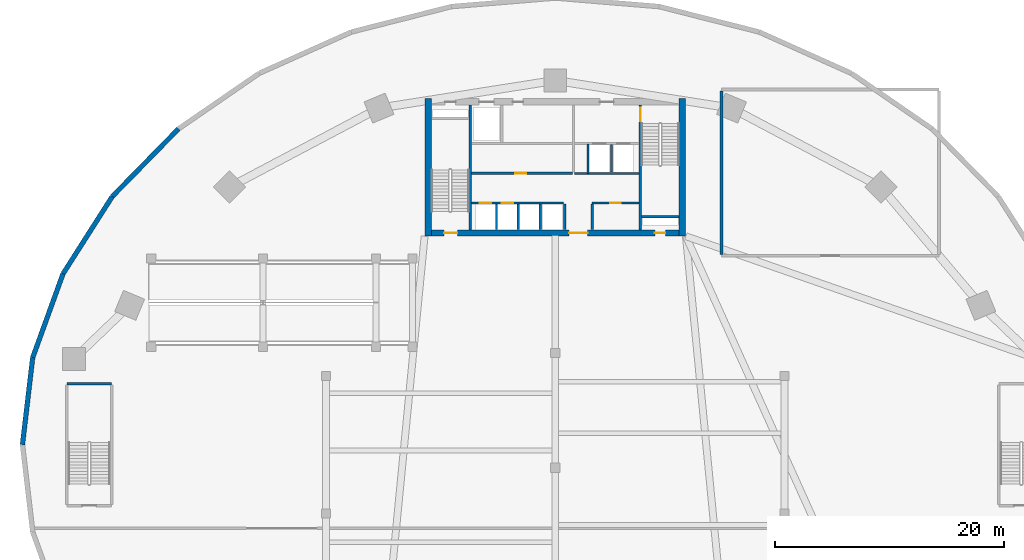
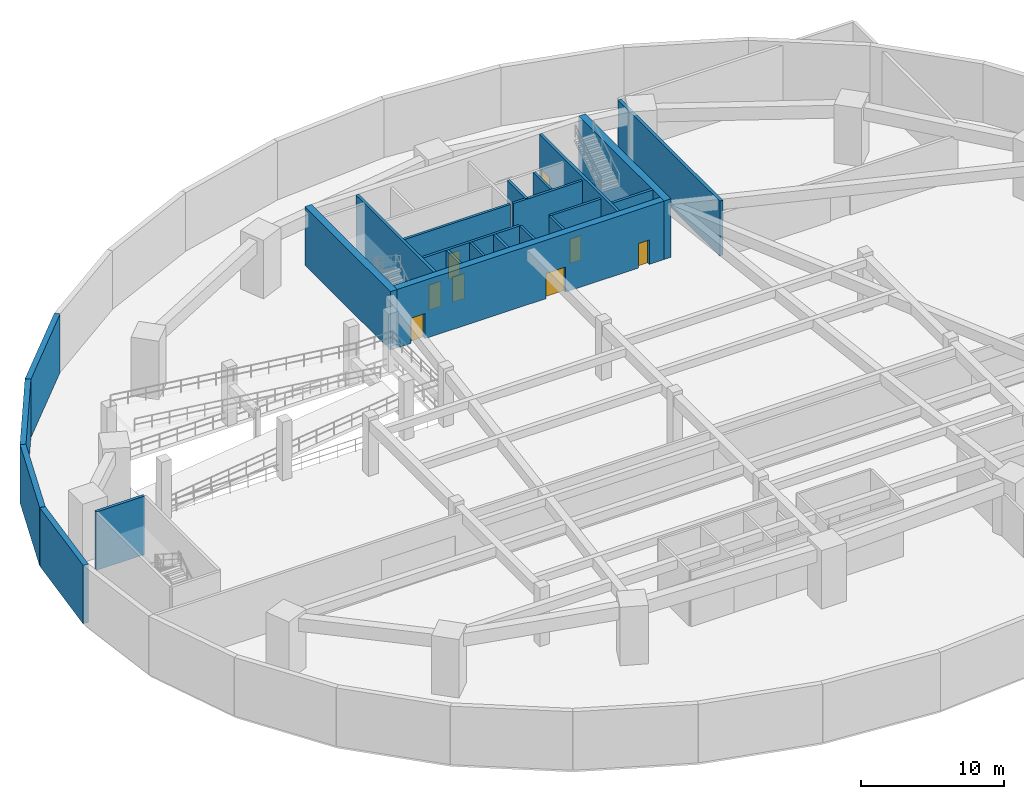
# One storey, part 5 of 10: 23 walls, 8 doors, 8 openings.
"""IFC4 building model written with IfcOpenShell, lengths in metres."""

from ifc_helpers import new_model, si_unit, direction, frame, frame_2d, origin, place, context, subcontext, project, spatial, rectangle, extrude, source, transform, mapped, material, layer, layer_set, type_object, type_shapes, element, fill, save


model = new_model("IFC4")

# Units and contexts
model_context = context("Model", 3, precision=1e-05, world=origin(), true_north=direction((0.0, 1.0)))
body_context = subcontext(model_context, "Body", "Model", "MODEL_VIEW")
ifc_project = project(units=[si_unit("LENGTHUNIT", "METRE"), si_unit("AREAUNIT", "SQUARE_METRE"), si_unit("VOLUMEUNIT", "CUBIC_METRE"), si_unit("PLANEANGLEUNIT", "RADIAN"), si_unit("MASSUNIT", "GRAM", prefix="KILO")], contexts=[model_context])

# Site, building, storey
site_placement = place(None, origin())
site = spatial("IfcSite", under=ifc_project, at=site_placement, CompositionType="ELEMENT")
building_placement = place(site_placement, origin())
building = spatial("IfcBuilding", under=site, at=building_placement, Name="Breltana Convention Tower", CompositionType="ELEMENT")
storey_placement = place(building_placement, frame((0.0, 0.0, -5.0)))
storey = spatial("IfcBuildingStorey", under=building, at=storey_placement, Name="B01", CompositionType="ELEMENT", Elevation=-5.0)

# Walls
ifc_material_1 = material(Name="Concrete C40/50", Category="concrete")
ifc_layer_1 = layer(ifc_material_1, 0.419921875, Name="Concrete C40/50")
ifc_layer_set_1 = layer_set([ifc_layer_1], Name="Concrete C40/50")
wall_type_1 = type_object("IfcWallType", Name="SW-BASE-420", PredefinedType="USERDEFINED", material=ifc_layer_set_1)
shared_shape_1 = source(origin(), body_context, "Body", "SweptSolid", [
    extrude(rectangle(XDim=7.66064453125, YDim=0.419921875, at=frame_2d((3.830322265625, 0.0))), origin(), (0.0, 0.0, 1.0), 5.0),
])
wall_1_placement = place(storey_placement, frame((2.3935546875, 49.6083984375, 0.0), z_axis=(0.0, 0.0, 1.0), x_axis=(-0.116641545586, -0.993174078318, 0.0)))
element("IfcWall", 1, at=wall_1_placement, inside=storey, type_object=wall_type_1, Name="B01 Perimeter Retaining Wall 16", ObjectType="RETAININGWALL", PredefinedType="USERDEFINED", context=body_context, shape_type="MappedRepresentation", body=[
    mapped(shared_shape_1, transform((0.0, 0.0, 0.0), scale=1.0)),
])
shared_shape_2 = source(origin(), body_context, "Body", "SweptSolid", [
    extrude(rectangle(XDim=7.7802734375, YDim=0.419921875, at=frame_2d((3.89013671875, 0.0))), origin(), (0.0, 0.0, 1.0), 5.0),
])
wall_2_placement = place(storey_placement, frame((5.03955078125, 56.9248046875, 0.0), z_axis=(0.0, 0.0, 1.0), x_axis=(-0.340094752388, -0.940391173607, 0.0)))
element("IfcWall", 2, at=wall_2_placement, inside=storey, type_object=wall_type_1, Name="B01 Perimeter Retaining Wall 15", ObjectType="RETAININGWALL", PredefinedType="USERDEFINED", context=body_context, shape_type="MappedRepresentation", body=[
    mapped(shared_shape_2, transform((0.0, 0.0, 0.0), scale=1.0)),
])
shared_shape_3 = source(origin(), body_context, "Body", "SweptSolid", [
    extrude(rectangle(XDim=7.995361328125, YDim=0.419921875, at=frame_2d((3.99755859375, 0.0))), origin(), (0.0, 0.0, 1.0), 5.0),
])
wall_3_placement = place(storey_placement, frame((9.336669921875, 63.667236328125, 0.0), z_axis=(0.0, 0.0, 1.0), x_axis=(-0.537452304734, -0.84329414805, 0.0)))
element("IfcWall", 3, at=wall_3_placement, inside=storey, type_object=wall_type_1, Name="B01 Perimeter Retaining Wall 14", ObjectType="RETAININGWALL", PredefinedType="USERDEFINED", context=body_context, shape_type="MappedRepresentation", body=[
    mapped(shared_shape_3, transform((0.0, 0.0, 0.0), scale=1.0)),
])
shared_shape_4 = source(origin(), body_context, "Body", "SweptSolid", [
    extrude(rectangle(XDim=8.268310546875, YDim=0.419921875, at=frame_2d((4.13427734375, 0.0))), origin(), (0.0, 0.0, 1.0), 5.0),
])
wall_4_placement = place(storey_placement, frame((15.119384765625, 69.5771484375, 0.0), z_axis=(0.0, 0.0, 1.0), x_axis=(-0.699373198463, -0.714756692358, 0.0)))
element("IfcWall", 4, at=wall_4_placement, inside=storey, type_object=wall_type_1, Name="B01 Perimeter Retaining Wall 13", ObjectType="RETAININGWALL", PredefinedType="USERDEFINED", context=body_context, shape_type="MappedRepresentation", body=[
    mapped(shared_shape_4, transform((0.0, 0.0, 0.0), scale=1.0)),
])
ifc_material_2 = material(Name="Concrete C60/75", Category="concrete")
ifc_layer_2 = layer(ifc_material_2, 0.550048828125, Name="Concrete C60/75")
ifc_layer_set_2 = layer_set([ifc_layer_2], Name="Concrete C60/75")
wall_type_2 = type_object("IfcWallType", Name="SW-CORE-550", PredefinedType="SHEAR", material=ifc_layer_set_2)
shared_shape_5 = source(origin(), body_context, "Body", "SweptSolid", [
    extrude(rectangle(XDim=12.0, YDim=0.550048828125, at=frame_2d((6.0, 0.0))), origin(), (0.0, 0.0, 1.0), 5.0),
])
type_shapes(wall_type_2, [shared_shape_5])
for number, where, z_axis, x_axis, name in (
    (5, (36.925048828125, 60.199951171875, 0.0), (0.0, 0.0, 1.0), (0.0, 1.0, 0.0), "B01 West Core Shear Wall"),
    (6, (59.074951171875, 60.199951171875, 0.0), (0.0, 0.0, 1.0), (0.0, 1.0, 0.0), "B01 East Core Shear Wall"),
):
    element("IfcWall", number, at=place(storey_placement, frame(where, z_axis=z_axis, x_axis=x_axis)), inside=storey, type_object=wall_type_2, Name=name, PredefinedType="SHEAR", context=body_context, shape_type="MappedRepresentation", body=[
        mapped(shared_shape_5, transform((0.0, 0.0, 0.0), scale=1.0)),
    ])

# Wall, openings, doors
shared_shape_6 = source(origin(), body_context, "Body", "SweptSolid", [
    extrude(rectangle(XDim=21.60009765625, YDim=0.550048828125, at=frame_2d((10.800048828125, 0.0))), origin(), (0.0, 0.0, 1.0), 5.0),
])
wall_5_placement = place(storey_placement, frame((37.199951171875, 60.47509765625, 0.0), z_axis=(0.0, 0.0, 1.0), x_axis=(1.0, 0.0, 0.0)))
wall_5 = element("IfcWall", 7, at=wall_5_placement, inside=storey, type_object=wall_type_2, Name="B01 South Core Shear Wall", PredefinedType="SHEAR", context=body_context, shape_type="MappedRepresentation", body=[
    mapped(shared_shape_6, transform((0.0, 0.0, 0.0), scale=1.0)),
])
opening_1_placement = place(wall_5_placement, frame((1.10009765625, 0.0, 0.0)))
opening_1 = element("IfcOpeningElement", 8, at=opening_1_placement, cuts=wall_5, Name="Opening D-11", PredefinedType="OPENING", context=body_context, shape_type="SweptSolid", body=[
    extrude(rectangle(XDim=1.14990234375, YDim=2.14990234375, at=frame_2d((0.574951171875, 1.074951171875))), frame((0.0, 0.28515625, 0.0), z_axis=(0.0, -1.0, 0.0), x_axis=(1.0, 0.0, 0.0)), (0.0, 0.0, 1.0), 0.570068359375),
])
opening_2_placement = place(wall_5_placement, frame((19.5, 0.0, 0.0)))
opening_2 = element("IfcOpeningElement", 9, at=opening_2_placement, cuts=wall_5, Name="Opening D-18", PredefinedType="OPENING", context=body_context, shape_type="SweptSolid", body=[
    extrude(rectangle(XDim=0.89990234375, YDim=2.10009765625, at=frame_2d((0.449951171875, 1.050048828125))), frame((0.0, 0.28515625, 0.0), z_axis=(0.0, -1.0, 0.0), x_axis=(1.0, 0.0, 0.0)), (0.0, 0.0, 1.0), 0.570068359375),
])
opening_3_placement = place(wall_5_placement, frame((12.02001953125, 0.0, 0.0)))
opening_3 = element("IfcOpeningElement", 10, at=opening_3_placement, cuts=wall_5, Name="Opening D-02", PredefinedType="OPENING", context=body_context, shape_type="SweptSolid", body=[
    extrude(rectangle(XDim=1.60009765625, YDim=2.14990234375, at=frame_2d((0.800048828125, 1.074951171875))), frame((0.0, 0.28515625, 0.0), z_axis=(0.0, -1.0, 0.0), x_axis=(1.0, 0.0, 0.0)), (0.0, 0.0, 1.0), 0.570068359375),
])
ifc_material_3 = material(Name="Steel Stair Exit Door", Category="steel")
door_type_1 = type_object("IfcDoorType", Name="DR-FD120-1150", OperationType="NOTDEFINED", PredefinedType="DOOR", material=ifc_material_3)
shared_shape_7 = source(origin(), body_context, "Body", "SweptSolid", [
    extrude(rectangle(XDim=1.14990234375, YDim=2.14990234375, at=frame_2d((0.574951171875, 1.074951171875))), frame((0.0, 0.02490234375, 0.0), z_axis=(0.0, -1.0, 0.0), x_axis=(1.0, 0.0, 0.0)), (0.0, 0.0, 1.0), 0.050048828125),
])
type_shapes(door_type_1, [shared_shape_7])
door_1_placement = place(opening_1_placement, origin())
door_1 = element("IfcDoor", 11, at=door_1_placement, inside=storey, type_object=door_type_1, Name="B01 interior door D-B01-ST1", OperationType="SINGLE_SWING_LEFT", OverallHeight=2.14990234375, OverallWidth=1.14990234375, PredefinedType="DOOR", context=body_context, shape_type="MappedRepresentation", body=[
    mapped(shared_shape_7, transform((0.0, 0.0, 0.0), scale=1.0)),
])
fill(opening_1, door_1)
ifc_material_4 = material(Name="Steel Riser Fire Door", Category="steel")
door_type_2 = type_object("IfcDoorType", Name="DR-FD60-900", OperationType="NOTDEFINED", PredefinedType="DOOR", material=ifc_material_4)
shared_shape_8 = source(origin(), body_context, "Body", "SweptSolid", [
    extrude(rectangle(XDim=0.89990234375, YDim=2.10009765625, at=frame_2d((0.449951171875, 1.050048828125))), frame((0.0, 0.02490234375, 0.0), z_axis=(0.0, -1.0, 0.0), x_axis=(1.0, 0.0, 0.0)), (0.0, 0.0, 1.0), 0.050048828125),
])
type_shapes(door_type_2, [shared_shape_8])
door_2_placement = place(opening_2_placement, origin())
door_2 = element("IfcDoor", 12, at=door_2_placement, inside=storey, type_object=door_type_2, Name="B01 Core Riser Access Door D-B01-RS2", OperationType="SINGLE_SWING_RIGHT", OverallHeight=2.10009765625, OverallWidth=0.89990234375, PredefinedType="DOOR", context=body_context, shape_type="MappedRepresentation", body=[
    mapped(shared_shape_8, transform((0.0, 0.0, 0.0), scale=1.0)),
])
fill(opening_2, door_2)
ifc_material_5 = material(Name="Steel Glazed Smoke-Control Door", Category="steel")
door_type_3 = type_object("IfcDoorType", Name="DR-DBL-FD90-1600", OperationType="DOUBLE_DOOR_SINGLE_SWING", PredefinedType="DOOR", material=ifc_material_5)
shared_shape_9 = source(origin(), body_context, "Body", "SweptSolid", [
    extrude(rectangle(XDim=1.60009765625, YDim=2.14990234375, at=frame_2d((0.800048828125, 1.074951171875))), frame((0.0, 0.02490234375, 0.0), z_axis=(0.0, -1.0, 0.0), x_axis=(1.0, 0.0, 0.0)), (0.0, 0.0, 1.0), 0.050048828125),
])
type_shapes(door_type_3, [shared_shape_9])
door_3_placement = place(opening_3_placement, origin())
door_3 = element("IfcDoor", 13, at=door_3_placement, inside=storey, type_object=door_type_3, Name="B01 interior door D-B01-LLB-S", OperationType="DOUBLE_DOOR_SINGLE_SWING", OverallHeight=2.14990234375, OverallWidth=1.60009765625, PredefinedType="DOOR", context=body_context, shape_type="MappedRepresentation", body=[
    mapped(shared_shape_9, transform((0.0, 0.0, 0.0), scale=1.0)),
])
fill(opening_3, door_3)

# Walls
ifc_material_6 = material(Name="Concrete C50/60", Category="concrete")
ifc_layer_3 = layer(ifc_material_6, 0.39990234375, Name="Concrete C50/60")
ifc_layer_set_3 = layer_set([ifc_layer_3], Name="Concrete C50/60")
wall_type_3 = type_object("IfcWallType", Name="SW-CORE-400", PredefinedType="SHEAR", material=ifc_layer_set_3)
shared_shape_10 = source(origin(), body_context, "Body", "SweptSolid", [
    extrude(rectangle(XDim=3.27001953125, YDim=0.219970703125, at=frame_2d((1.635009765625, 0.0))), origin(), (0.0, 0.0, 1.0), 5.0),
])
type_shapes(wall_type_3, [shared_shape_10])
wall_6_placement = place(storey_placement, frame((55.530029296875, 61.889892578125, 0.0), z_axis=(0.0, 0.0, 1.0), x_axis=(1.0, 0.0, 0.0)))
element("IfcWall", 14, at=wall_6_placement, inside=storey, type_object=wall_type_3, Name="B01 ST-2 Stairwell South Bearing Wall", PredefinedType="SHEAR", context=body_context, shape_type="MappedRepresentation", body=[
    mapped(shared_shape_10, transform((0.0, 0.0, 0.0), scale=1.0)),
])
shared_shape_11 = source(origin(), body_context, "Body", "SweptSolid", [
    extrude(rectangle(XDim=10.89990234375, YDim=0.219970703125, at=frame_2d((5.449951171875, 0.0))), origin(), (0.0, 0.0, 1.0), 5.0),
])
wall_7_placement = place(storey_placement, frame((40.580078125, 60.75, 0.0), z_axis=(0.0, 0.0, 1.0), x_axis=(0.0, 1.0, 0.0)))
element("IfcWall", 15, at=wall_7_placement, inside=storey, type_object=wall_type_3, Name="B01 Core West Stair Spine Wall", PredefinedType="SHEAR", context=body_context, shape_type="MappedRepresentation", body=[
    mapped(shared_shape_11, transform((0.0, 0.0, 0.0), scale=1.0)),
])

# Wall, opening, door
wall_8_placement = place(storey_placement, frame((55.419921875, 60.75, 0.0), z_axis=(0.0, 0.0, 1.0), x_axis=(0.0, 1.0, 0.0)))
wall_8 = element("IfcWall", 16, at=wall_8_placement, inside=storey, type_object=wall_type_3, Name="B01 Core East Stair Spine Wall", PredefinedType="SHEAR", context=body_context, shape_type="MappedRepresentation", body=[
    mapped(shared_shape_11, transform((0.0, 0.0, 0.0), scale=1.0)),
])
opening_4_placement = place(wall_8_placement, frame((9.4951171875, 0.0, 0.0)))
opening_4 = element("IfcOpeningElement", 17, at=opening_4_placement, cuts=wall_8, Name="Opening D-11", PredefinedType="OPENING", context=body_context, shape_type="SweptSolid", body=[
    extrude(rectangle(XDim=1.14990234375, YDim=2.14990234375, at=frame_2d((0.574951171875, 1.074951171875))), frame((0.0, 0.1201171875, 0.0), z_axis=(0.0, -1.0, 0.0), x_axis=(1.0, 0.0, 0.0)), (0.0, 0.0, 1.0), 0.239990234375),
])
door_4_placement = place(opening_4_placement, origin())
door_4 = element("IfcDoor", 18, at=door_4_placement, inside=storey, type_object=door_type_1, Name="B01 interior door D-B01-ST2", OperationType="SINGLE_SWING_LEFT", OverallHeight=2.14990234375, OverallWidth=1.14990234375, PredefinedType="DOOR", context=body_context, shape_type="MappedRepresentation", body=[
    mapped(shared_shape_7, transform((0.0, 0.0, 0.0), scale=1.0)),
])
fill(opening_4, door_4)

# Walls
ifc_material_7 = material(Name="Autoclaved Aerated Concrete Block", Category="concrete")
ifc_layer_4 = layer(ifc_material_7, 0.199951171875, Name="Autoclaved Aerated Concrete Block")
ifc_layer_set_4 = layer_set([ifc_layer_4], Name="Autoclaved Aerated Concrete Block")
wall_type_4 = type_object("IfcWallType", Name="WL-SHAFT-200", PredefinedType="SOLIDWALL", material=ifc_layer_set_4)
shared_shape_12 = source(origin(), body_context, "Body", "SweptSolid", [
    extrude(rectangle(XDim=2.239990234375, YDim=0.199951171875, at=frame_2d((1.1201171875, 0.0))), origin(), (0.0, 0.0, 1.0), 4.699951171875),
])
type_shapes(wall_type_4, [shared_shape_12])
for number, where, z_axis, x_axis, name in (
    (19, (48.820068359375, 60.780029296875, 0.0), (0.0, 0.0, 1.0), (0.0, 1.0, 0.0), "B01 interior partition W-B01-PORT-W"),
    (20, (51.219970703125, 60.780029296875, 0.0), (0.0, 0.0, 1.0), (0.0, 1.0, 0.0), "B01 interior partition W-B01-PORT-E"),
):
    element("IfcWall", number, at=place(storey_placement, frame(where, z_axis=z_axis, x_axis=x_axis)), inside=storey, type_object=wall_type_4, Name=name, PredefinedType="SOLIDWALL", context=body_context, shape_type="MappedRepresentation", body=[
        mapped(shared_shape_12, transform((0.0, 0.0, 0.0), scale=1.0)),
    ])
shared_shape_13 = source(origin(), body_context, "Body", "SweptSolid", [
    extrude(rectangle(XDim=5.6201171875, YDim=0.199951171875, at=frame_2d((2.81005859375, 0.0))), origin(), (0.0, 0.0, 1.0), 4.699951171875),
])
wall_9_placement = place(storey_placement, frame((49.699951171875, 65.679931640625, 0.0), z_axis=(0.0, 0.0, 1.0), x_axis=(1.0, 0.0, 0.0)))
element("IfcWall", 21, at=wall_9_placement, inside=storey, type_object=wall_type_4, Name="B01 interior partition W-B01-FL-S", PredefinedType="SOLIDWALL", context=body_context, shape_type="MappedRepresentation", body=[
    mapped(shared_shape_13, transform((0.0, 0.0, 0.0), scale=1.0)),
])
shared_shape_14 = source(origin(), body_context, "Body", "SweptSolid", [
    extrude(rectangle(XDim=2.580078125, YDim=0.199951171875, at=frame_2d((1.2900390625, 0.0))), origin(), (0.0, 0.0, 1.0), 4.699951171875),
])
wall_10_placement = place(storey_placement, frame((50.85009765625, 65.679931640625, 0.0), z_axis=(0.0, 0.0, 1.0), x_axis=(0.0, 1.0, 0.0)))
element("IfcWall", 22, at=wall_10_placement, inside=storey, type_object=wall_type_4, Name="B01 interior partition W-B01-FL-W", PredefinedType="SOLIDWALL", context=body_context, shape_type="MappedRepresentation", body=[
    mapped(shared_shape_14, transform((0.0, 0.0, 0.0), scale=1.0)),
])
shared_shape_15 = source(origin(), body_context, "Body", "SweptSolid", [
    extrude(rectangle(XDim=2.39990234375, YDim=0.199951171875, at=frame_2d((1.199951171875, 0.0))), origin(), (0.0, 0.0, 1.0), 4.699951171875),
])
wall_11_placement = place(storey_placement, frame((52.89990234375, 65.800048828125, 0.0), z_axis=(0.0, 0.0, 1.0), x_axis=(0.0, 1.0, 0.0)))
element("IfcWall", 23, at=wall_11_placement, inside=storey, type_object=wall_type_4, Name="B01 interior partition W-B01-FL-DIV", PredefinedType="SOLIDWALL", context=body_context, shape_type="MappedRepresentation", body=[
    mapped(shared_shape_15, transform((0.0, 0.0, 0.0), scale=1.0)),
])

# Wall, opening, door
shared_shape_16 = source(origin(), body_context, "Body", "SweptSolid", [
    extrude(rectangle(XDim=8.800048828125, YDim=0.199951171875, at=frame_2d((4.39990234375, 0.0))), origin(), (0.0, 0.0, 1.0), 4.699951171875),
])
wall_12_placement = place(storey_placement, frame((40.699951171875, 65.699951171875, 0.0), z_axis=(0.0, 0.0, 1.0), x_axis=(1.0, 0.0, 0.0)))
wall_12 = element("IfcWall", 24, at=wall_12_placement, inside=storey, type_object=wall_type_4, Name="B01 interior partition W-B01-SH-M-FRONT", PredefinedType="SOLIDWALL", context=body_context, shape_type="MappedRepresentation", body=[
    mapped(shared_shape_16, transform((0.0, 0.0, 0.0), scale=1.0)),
])
opening_5_placement = place(wall_12_placement, frame((3.800048828125, 0.0, 0.0)))
opening_5 = element("IfcOpeningElement", 25, at=opening_5_placement, cuts=wall_12, Name="Opening D-14", PredefinedType="OPENING", context=body_context, shape_type="SweptSolid", body=[
    extrude(rectangle(XDim=0.949951171875, YDim=2.14990234375, at=frame_2d((0.47509765625, 1.074951171875))), frame((0.0, 0.10986328125, 0.0), z_axis=(0.0, -1.0, 0.0), x_axis=(1.0, 0.0, 0.0)), (0.0, 0.0, 1.0), 0.219970703125),
])
ifc_material_8 = material(Name="Timber Solid-Core Fire Door", Category="wood")
door_type_4 = type_object("IfcDoorType", Name="DR-FD60-950", OperationType="NOTDEFINED", PredefinedType="DOOR", material=ifc_material_8)
shared_shape_17 = source(origin(), body_context, "Body", "SweptSolid", [
    extrude(rectangle(XDim=0.949951171875, YDim=2.14990234375, at=frame_2d((0.47509765625, 1.074951171875))), frame((0.0, 0.02490234375, 0.0), z_axis=(0.0, -1.0, 0.0), x_axis=(1.0, 0.0, 0.0)), (0.0, 0.0, 1.0), 0.050048828125),
])
type_shapes(door_type_4, [shared_shape_17])
door_5_placement = place(opening_5_placement, origin())
door_5 = element("IfcDoor", 26, at=door_5_placement, inside=storey, type_object=door_type_4, Name="B01 interior door D-B01-LV7-B2A", OperationType="SINGLE_SWING_LEFT", OverallHeight=2.14990234375, OverallWidth=0.949951171875, PredefinedType="DOOR", context=body_context, shape_type="MappedRepresentation", body=[
    mapped(shared_shape_17, transform((0.0, 0.0, 0.0), scale=1.0)),
])
fill(opening_5, door_5)

# Wall, openings, doors
shared_shape_18 = source(origin(), body_context, "Body", "SweptSolid", [
    extrude(rectangle(XDim=8.02001953125, YDim=0.199951171875, at=frame_2d((4.010009765625, 0.0))), origin(), (0.0, 0.0, 1.0), 4.699951171875),
])
wall_13_placement = place(storey_placement, frame((40.699951171875, 63.10009765625, 0.0), z_axis=(0.0, 0.0, 1.0), x_axis=(1.0, 0.0, 0.0)))
wall_13 = element("IfcWall", 27, at=wall_13_placement, inside=storey, type_object=wall_type_4, Name="B01 interior partition W-B01-SH-S-FRONT", PredefinedType="SOLIDWALL", context=body_context, shape_type="MappedRepresentation", body=[
    mapped(shared_shape_18, transform((0.0, 0.0, 0.0), scale=1.0)),
])
opening_6_placement = place(wall_13_placement, frame((0.719970703125, 0.0, 0.0)))
opening_6 = element("IfcOpeningElement", 28, at=opening_6_placement, cuts=wall_13, Name="Opening LD-04", PredefinedType="OPENING", context=body_context, shape_type="SweptSolid", body=[
    extrude(rectangle(XDim=1.0, YDim=2.14990234375, at=frame_2d((0.5, 1.074951171875))), frame((0.0, 0.10986328125, 0.0), z_axis=(0.0, -1.0, 0.0), x_axis=(1.0, 0.0, 0.0)), (0.0, 0.0, 1.0), 0.219970703125),
])
opening_7_placement = place(wall_13_placement, frame((2.6201171875, 0.0, 0.0)))
opening_7 = element("IfcOpeningElement", 29, at=opening_7_placement, cuts=wall_13, Name="Opening LD-04", PredefinedType="OPENING", context=body_context, shape_type="SweptSolid", body=[
    extrude(rectangle(XDim=1.0, YDim=2.14990234375, at=frame_2d((0.5, 1.074951171875))), frame((0.0, 0.10986328125, 0.0), z_axis=(0.0, -1.0, 0.0), x_axis=(1.0, 0.0, 0.0)), (0.0, 0.0, 1.0), 0.219970703125),
])
ifc_material_9 = material(Name="Stainless Steel Brushed", Category="steel")
door_type_5 = type_object("IfcDoorType", Name="DR-LD-PAX-1000", OperationType="DOUBLE_DOOR_SLIDING", PredefinedType="DOOR", material=ifc_material_9)
shared_shape_19 = source(origin(), body_context, "Body", "SweptSolid", [
    extrude(rectangle(XDim=1.0, YDim=2.14990234375, at=frame_2d((0.5, 1.074951171875))), frame((0.0, 0.02490234375, 0.0), z_axis=(0.0, -1.0, 0.0), x_axis=(1.0, 0.0, 0.0)), (0.0, 0.0, 1.0), 0.050048828125),
])
type_shapes(door_type_5, [shared_shape_19])
door_6_placement = place(opening_6_placement, origin())
door_6 = element("IfcDoor", 30, at=door_6_placement, inside=storey, type_object=door_type_5, Name="B01 Lift Landing Door D-B01-LD-S1", OperationType="DOUBLE_DOOR_SLIDING", OverallHeight=2.14990234375, OverallWidth=1.0, PredefinedType="DOOR", context=body_context, shape_type="MappedRepresentation", body=[
    mapped(shared_shape_19, transform((0.0, 0.0, 0.0), scale=1.0)),
])
fill(opening_6, door_6)
door_7_placement = place(opening_7_placement, origin())
door_7 = element("IfcDoor", 31, at=door_7_placement, inside=storey, type_object=door_type_5, Name="B01 Lift Landing Door D-B01-LD-S2", OperationType="DOUBLE_DOOR_SLIDING", OverallHeight=2.14990234375, OverallWidth=1.0, PredefinedType="DOOR", context=body_context, shape_type="MappedRepresentation", body=[
    mapped(shared_shape_19, transform((0.0, 0.0, 0.0), scale=1.0)),
])
fill(opening_7, door_7)

# Wall, opening, door
shared_shape_20 = source(origin(), body_context, "Body", "SweptSolid", [
    extrude(rectangle(XDim=4.10009765625, YDim=0.199951171875, at=frame_2d((2.050048828125, 0.0))), origin(), (0.0, 0.0, 1.0), 4.699951171875),
])
wall_14_placement = place(storey_placement, frame((51.219970703125, 63.10009765625, 0.0), z_axis=(0.0, 0.0, 1.0), x_axis=(1.0, 0.0, 0.0)))
wall_14 = element("IfcWall", 32, at=wall_14_placement, inside=storey, type_object=wall_type_4, Name="B01 interior partition W-B01-SH-X-FRONT", PredefinedType="SOLIDWALL", context=body_context, shape_type="MappedRepresentation", body=[
    mapped(shared_shape_20, transform((0.0, 0.0, 0.0), scale=1.0)),
])
opening_8_placement = place(wall_14_placement, frame((1.60009765625, 0.0, 0.0)))
opening_8 = element("IfcOpeningElement", 33, at=opening_8_placement, cuts=wall_14, Name="Opening D-18", PredefinedType="OPENING", context=body_context, shape_type="SweptSolid", body=[
    extrude(rectangle(XDim=0.89990234375, YDim=2.10009765625, at=frame_2d((0.449951171875, 1.050048828125))), frame((0.0, 0.10986328125, 0.0), z_axis=(0.0, -1.0, 0.0), x_axis=(1.0, 0.0, 0.0)), (0.0, 0.0, 1.0), 0.219970703125),
])
door_8_placement = place(opening_8_placement, origin())
door_8 = element("IfcDoor", 34, at=door_8_placement, inside=storey, type_object=door_type_2, Name="B01 interior door D-B01-SH-X-RM", OperationType="SINGLE_SWING_RIGHT", OverallHeight=2.10009765625, OverallWidth=0.89990234375, PredefinedType="DOOR", context=body_context, shape_type="MappedRepresentation", body=[
    mapped(shared_shape_8, transform((0.0, 0.0, 0.0), scale=1.0)),
])
fill(opening_8, door_8)

# Walls
shared_shape_21 = source(origin(), body_context, "Body", "SweptSolid", [
    extrude(rectangle(XDim=2.199951171875, YDim=0.199951171875, at=frame_2d((1.10009765625, 0.0))), origin(), (0.0, 0.0, 1.0), 4.699951171875),
])
for number, where, z_axis, x_axis, name in (
    (35, (42.8701171875, 60.800048828125, 0.0), (0.0, 0.0, 1.0), (0.0, 1.0, 0.0), "B01 interior partition W-B01-SH-S-DIV1"),
    (36, (44.77001953125, 60.800048828125, 0.0), (0.0, 0.0, 1.0), (0.0, 1.0, 0.0), "B01 interior partition W-B01-SH-S-DIV2"),
    (37, (46.699951171875, 60.800048828125, 0.0), (0.0, 0.0, 1.0), (0.0, 1.0, 0.0), "B01 interior partition W-B01-SH-S-DIV3"),
):
    element("IfcWall", number, at=place(storey_placement, frame(where, z_axis=z_axis, x_axis=x_axis)), inside=storey, type_object=wall_type_4, Name=name, PredefinedType="SOLIDWALL", context=body_context, shape_type="MappedRepresentation", body=[
        mapped(shared_shape_21, transform((0.0, 0.0, 0.0), scale=1.0)),
    ])
ifc_layer_5 = layer(ifc_material_1, 0.219970703125, Name="Concrete C40/50")
ifc_layer_set_5 = layer_set([ifc_layer_5], Name="Concrete C40/50")
wall_type_5 = type_object("IfcWallType", Name="WL-SHAFT-220", PredefinedType="SOLIDWALL", material=ifc_layer_set_5)
shared_shape_22 = source(origin(), body_context, "Body", "SweptSolid", [
    extrude(rectangle(XDim=3.89013671875, YDim=0.219970703125, at=frame_2d((1.945068359375, 0.0))), origin(), (0.0, 0.0, 1.0), 5.0),
])
type_shapes(wall_type_5, [shared_shape_22])
wall_15_placement = place(storey_placement, frame((5.389892578125, 47.31005859375, 0.0), z_axis=(0.0, 0.0, 1.0), x_axis=(1.0, 0.0, 0.0)))
element("IfcWall", 38, at=wall_15_placement, inside=storey, type_object=wall_type_5, Name="B01 interior partition W-B01-ST3-N", PredefinedType="SOLIDWALL", context=body_context, shape_type="MappedRepresentation", body=[
    mapped(shared_shape_22, transform((0.0, 0.0, 0.0), scale=1.0)),
])
ifc_material_10 = material(Name="Gypsum Acoustic Double Stud Wall")
ifc_layer_6 = layer(ifc_material_10, 0.25, Name="Gypsum Acoustic Double Stud Wall")
ifc_layer_set_6 = layer_set([ifc_layer_6], Name="Gypsum Acoustic Double Stud Wall")
wall_type_6 = type_object("IfcWallType", Name="WL-ACOUSTIC-250", PredefinedType="PARTITIONING", material=ifc_layer_set_6)
shared_shape_23 = source(origin(), body_context, "Body", "SweptSolid", [
    extrude(rectangle(XDim=14.27490234375, YDim=0.25, at=frame_2d((7.137451171875, 0.0))), origin(), (0.0, 0.0, 1.0), 4.699951171875),
])
wall_16_placement = place(storey_placement, frame((62.5, 58.612548828125, 0.0), z_axis=(0.0, 0.0, 1.0), x_axis=(0.0, 1.0, 0.0)))
element("IfcWall", 39, at=wall_16_placement, inside=storey, type_object=wall_type_6, Name="B01 interior partition W-B01-PLT1-W", PredefinedType="PARTITIONING", context=body_context, shape_type="MappedRepresentation", body=[
    mapped(shared_shape_23, transform((0.0, 0.0, 0.0), scale=1.0)),
])

save(model, "model.ifc")
